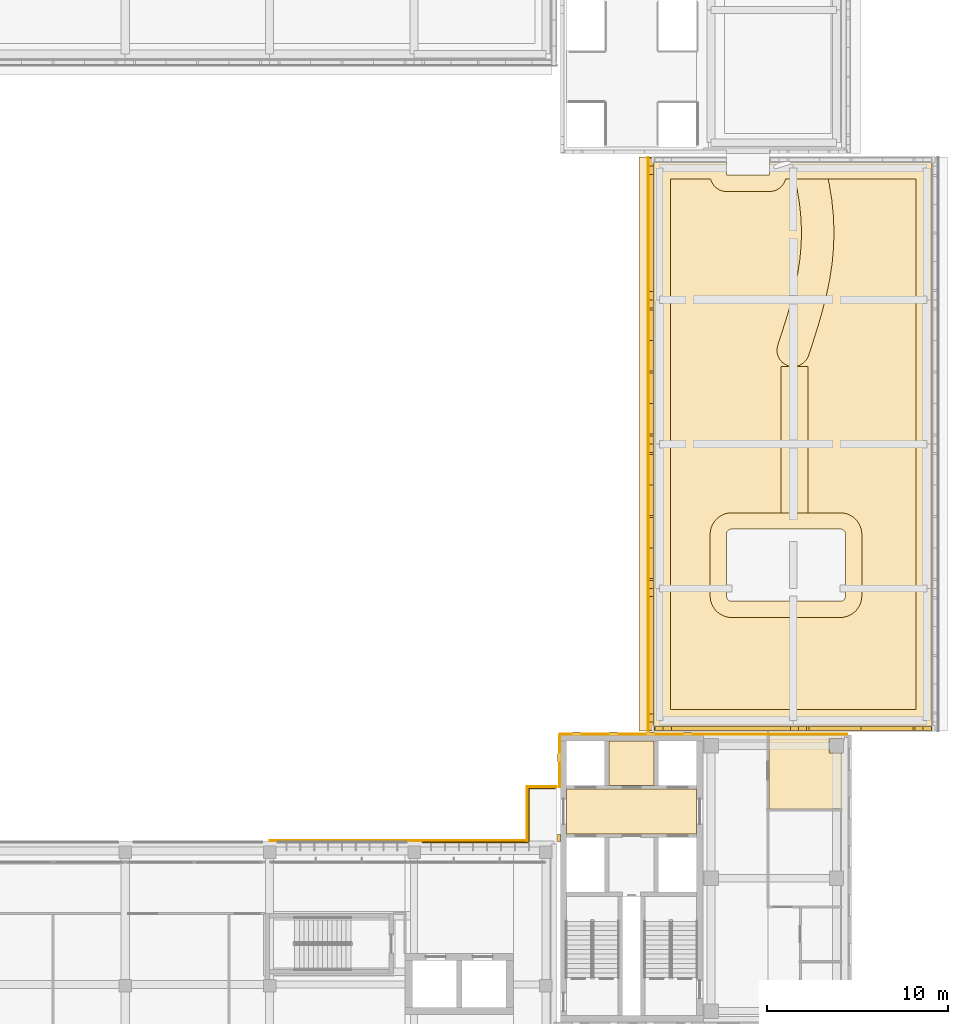
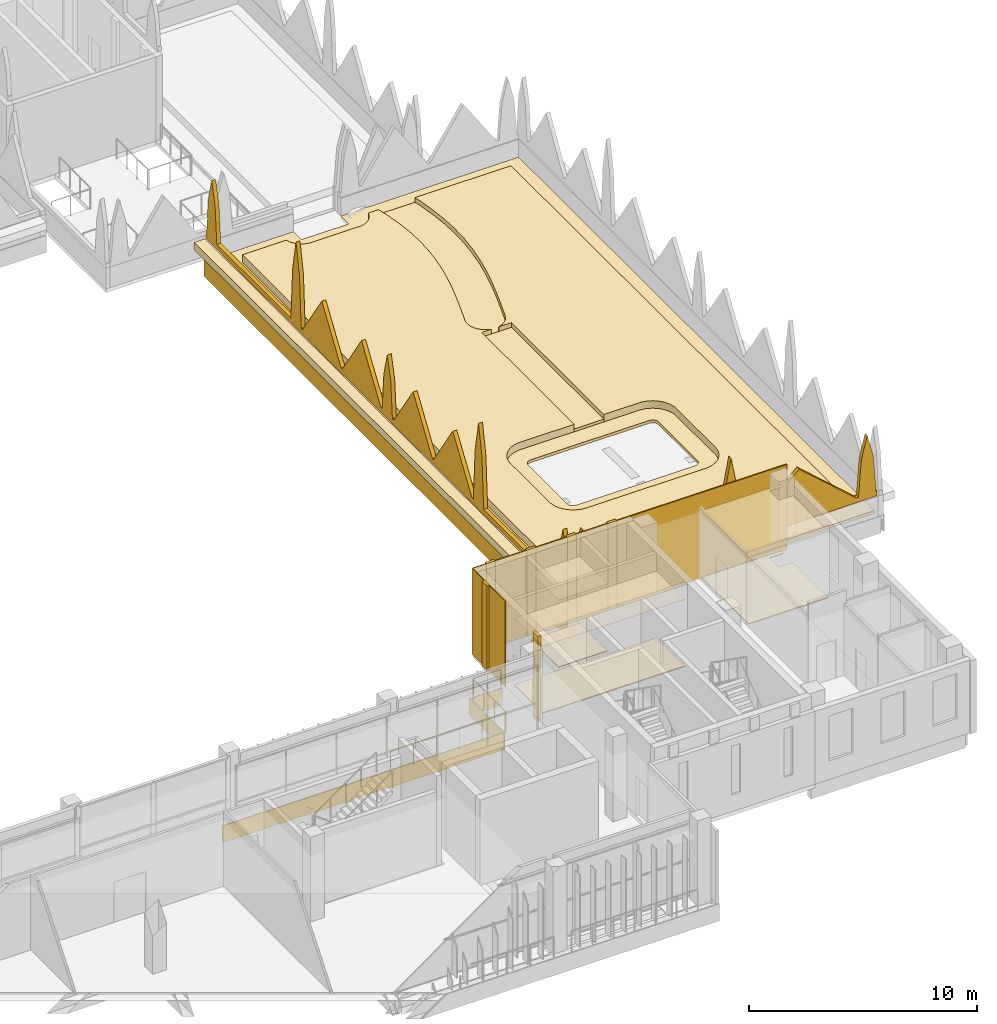
# One storey, part 41 of 46: 25 coverings, 1 railing.
"""IFC4 building model written with IfcOpenShell, lengths in metres."""

from ifc_helpers import new_model, si_unit, direction, frame, frame_2d, origin, origin_2d, place, context, subcontext, project, spatial, polyline, rectangle, circle, outline, extrude, material, layer, layer_set, type_object, element, save


model = new_model("IFC4")

# Units and contexts
model_context = context("Model", 3, precision=1e-05, world=origin(), true_north=direction((0.0, 1.0)))
body_context = subcontext(model_context, "Body", "Model", "MODEL_VIEW")
ifc_project = project(units=[si_unit("LENGTHUNIT", "METRE"), si_unit("AREAUNIT", "SQUARE_METRE"), si_unit("VOLUMEUNIT", "CUBIC_METRE"), si_unit("PLANEANGLEUNIT", "RADIAN"), si_unit("MASSUNIT", "GRAM", prefix="KILO")], contexts=[model_context])

# Site, building, storey
site_placement = place(None, origin())
site = spatial("IfcSite", under=ifc_project, at=site_placement, CompositionType="ELEMENT")
building_placement = place(site_placement, origin())
building = spatial("IfcBuilding", under=site, at=building_placement, Name="Lantern Court Media Centre", CompositionType="ELEMENT")
storey_placement = place(building_placement, frame((0.0, 0.0, 28.800048828125)))
storey = spatial("IfcBuildingStorey", under=building, at=storey_placement, Name="L06", CompositionType="ELEMENT", Elevation=28.800048828125)

# Coverings
ifc_material_1 = material(Name="Carpet")
ifc_layer_1 = layer(ifc_material_1, 0.050048828125)
ifc_layer_set_1 = layer_set([ifc_layer_1], Name="Carpet")
covering_type_1 = type_object("IfcCoveringType", Name="Carpet floor finish", PredefinedType="FLOORING", material=ifc_layer_set_1)
covering_1_placement = place(storey_placement, origin())
element("IfcCovering", 1, at=covering_1_placement, inside=storey, type_object=covering_type_1, Name="Cafe Kitchen floor finish", PredefinedType="FLOORING", context=body_context, shape_type="SweptSolid", body=[
    extrude(outline(polyline([(95.699951171875, 59.798095703125), (91.66748046875, 59.798095703125), (91.66748046875, 63.89990234375), (95.699951171875, 63.89990234375), (95.699951171875, 63.705078125), (94.9951171875, 63.699951171875), (94.99609375, 62.896728515625), (95.699951171875, 62.89501953125), (95.699951171875, 59.798095703125)])), origin(), (0.0, 0.0, 1.0), 0.050048828125),
])
ifc_material_2 = material(Name="Ceramic tile")
ifc_layer_2 = layer(ifc_material_2, 0.050048828125)
ifc_layer_set_2 = layer_set([ifc_layer_2], Name="Ceramic tile")
covering_type_2 = type_object("IfcCoveringType", Name="Ceramic tile floor finish", PredefinedType="FLOORING", material=ifc_layer_set_2)
covering_2_placement = place(storey_placement, origin())
element("IfcCovering", 2, at=covering_2_placement, inside=storey, type_object=covering_type_2, Name="Accessible WC floor finish", PredefinedType="FLOORING", context=body_context, shape_type="SweptSolid", body=[
    extrude(outline(polyline([(85.294921875, 61.10498046875), (82.804931640625, 61.10498046875), (82.804931640625, 63.544921875), (85.294921875, 63.544921875), (85.294921875, 61.10498046875)])), origin(), (0.0, 0.0, 1.0), 0.050048828125),
])

# Railing
ifc_material_3 = material(Name="Powder-coated steel", Category="steel")
railing_type = type_object("IfcRailingType", Name="Floor edge guard 1100", PredefinedType="GUARDRAIL", material=ifc_material_3)
railing_placement = place(storey_placement, frame((72.47705078125, 57.93994140625, 0.0)))
element("IfcRailing", 3, at=railing_placement, inside=storey, type_object=railing_type, Name="L06 edge guard 245", PredefinedType="GUARDRAIL", context=body_context, shape_type="SweptSolid", body=[
    extrude(circle(Radius=0.02392578125, at=origin_2d()), frame((0.0, 0.0, 1.076171875), z_axis=(1.0, 0.0, 0.0), x_axis=(0.0, 1.0, 0.0)), (0.0, 0.0, 1.0), 5.7978515625),
    extrude(circle(Radius=0.02392578125, at=origin_2d()), frame((5.7978515625, 0.0, 1.076171875), z_axis=(0.869047417357, 0.494728800845, 0.0), x_axis=(-0.494728800845, 0.869047417357, 0.0)), (0.0, 0.0, 1.0), 0.09326171875),
    extrude(circle(Radius=0.02392578125, at=origin_2d()), frame((5.87890625, 0.046142578125, 1.076171875), z_axis=(0.041938378731, 0.99912019917, 0.0), x_axis=(-0.99912019917, 0.041938378731, 0.0)), (0.0, 0.0, 1.0), 0.098876953125),
    extrude(circle(Radius=0.02392578125, at=origin_2d()), frame((5.883056640625, 0.14501953125, 1.076171875), z_axis=(0.0, 1.0, 0.0), x_axis=(-1.0, 0.0, 0.0)), (0.0, 0.0, 1.0), 2.799072265625),
    extrude(circle(Radius=0.02392578125, at=origin_2d()), frame((5.883056640625, 2.944091796875, 1.076171875), z_axis=(0.617973163725, 0.786199191628, 0.0), x_axis=(-0.786199191628, 0.617973163725, 0.0)), (0.0, 0.0, 1.0), 0.071044921875),
    extrude(circle(Radius=0.02392578125, at=origin_2d()), frame((5.927001953125, 3.0, 1.076171875), z_axis=(1.0, 0.0, 0.0), x_axis=(0.0, 1.0, 0.0)), (0.0, 0.0, 1.0), 1.39990234375),
    extrude(circle(Radius=0.02099609375, at=origin_2d()), origin(), (0.0, 0.0, 1.0), 1.052001953125),
    extrude(circle(Radius=0.02099609375, at=origin_2d()), frame((1.15966796875, 0.0, 0.0)), (0.0, 0.0, 1.0), 1.052001953125),
    extrude(circle(Radius=0.02099609375, at=origin_2d()), frame((2.319091796875, 0.0, 0.0)), (0.0, 0.0, 1.0), 1.052001953125),
    extrude(circle(Radius=0.02099609375, at=origin_2d()), frame((3.478759765625, 0.0, 0.0)), (0.0, 0.0, 1.0), 1.052001953125),
    extrude(circle(Radius=0.02099609375, at=origin_2d()), frame((4.63818359375, 0.0, 0.0)), (0.0, 0.0, 1.0), 1.052001953125),
    extrude(circle(Radius=0.02099609375, at=origin_2d()), frame((5.7978515625, 0.0, 0.0)), (0.0, 0.0, 1.0), 1.052001953125),
    extrude(circle(Radius=0.02099609375, at=origin_2d()), frame((5.87890625, 0.046142578125, 0.0)), (0.0, 0.0, 1.0), 1.052001953125),
    extrude(circle(Radius=0.02099609375, at=origin_2d()), frame((5.883056640625, 0.14501953125, 0.0)), (0.0, 0.0, 1.0), 1.052001953125),
    extrude(circle(Radius=0.02099609375, at=origin_2d()), frame((5.883056640625, 1.078125, 0.0)), (0.0, 0.0, 1.0), 1.052001953125),
    extrude(circle(Radius=0.02099609375, at=origin_2d()), frame((5.883056640625, 2.010986328125, 0.0)), (0.0, 0.0, 1.0), 1.052001953125),
    extrude(circle(Radius=0.02099609375, at=origin_2d()), frame((5.883056640625, 2.944091796875, 0.0)), (0.0, 0.0, 1.0), 1.052001953125),
    extrude(circle(Radius=0.02099609375, at=origin_2d()), frame((5.927001953125, 3.0, 0.0)), (0.0, 0.0, 1.0), 1.052001953125),
    extrude(circle(Radius=0.02099609375, at=origin_2d()), frame((6.626953125, 3.0, 0.0)), (0.0, 0.0, 1.0), 1.052001953125),
    extrude(circle(Radius=0.02099609375, at=origin_2d()), frame((7.326904296875, 3.0, 0.0)), (0.0, 0.0, 1.0), 1.052001953125),
])

# Coverings
ifc_material_4 = material(Name="White glass-fibre reinforced cement cladding", Category="concrete")
ifc_layer_3 = layer(ifc_material_4, 0.050048828125)
ifc_layer_set_3 = layer_set([ifc_layer_3], Name="White glass-fibre reinforced cement cladding")
covering_type_3 = type_object("IfcCoveringType", Name="Floor-edge band 50", PredefinedType="CLADDING", material=ifc_layer_set_3)
covering_3_placement = place(storey_placement, frame((64.0, 58.02490234375, -0.900146484375), z_axis=(0.0, 0.0, 1.0), x_axis=(1.0, 0.0, 0.0)))
element("IfcCovering", 4, at=covering_3_placement, inside=storey, type_object=covering_type_3, Name="Floor-edge band S inner L06", PredefinedType="CLADDING", context=body_context, shape_type="SweptSolid", body=[
    extrude(rectangle(XDim=14.25, YDim=0.050048828125, at=frame_2d((7.125, 0.0))), origin(), (0.0, 0.0, 1.0), 0.900146484375),
])
covering_4_placement = place(storey_placement, frame((78.300048828125, 61.02490234375, -0.900146484375), z_axis=(0.0, 0.0, 1.0), x_axis=(1.0, 0.0, 0.0)))
element("IfcCovering", 5, at=covering_4_placement, inside=storey, type_object=covering_type_3, Name="Floor-edge band S inner L06", PredefinedType="CLADDING", context=body_context, shape_type="SweptSolid", body=[
    extrude(rectangle(XDim=1.599853515625, YDim=0.050048828125, at=frame_2d((0.7998046875, 0.0))), origin(), (0.0, 0.0, 1.0), 0.900146484375),
])
covering_5_placement = place(storey_placement, frame((78.27490234375, 58.0, -0.900146484375), z_axis=(0.0, 0.0, 1.0), x_axis=(0.0, 1.0, 0.0)))
element("IfcCovering", 6, at=covering_5_placement, inside=storey, type_object=covering_type_3, Name="Floor-edge band S inner L06", PredefinedType="CLADDING", context=body_context, shape_type="SweptSolid", body=[
    extrude(rectangle(XDim=3.050048828125, YDim=0.050048828125, at=frame_2d((1.52490234375, 0.0))), origin(), (0.0, 0.0, 1.0), 0.900146484375),
])
covering_6_placement = place(storey_placement, frame((84.97509765625, 64.10009765625, -0.900146484375), z_axis=(0.0, 0.0, 1.0), x_axis=(0.0, 1.0, 0.0)))
element("IfcCovering", 7, at=covering_6_placement, inside=storey, type_object=covering_type_3, Name="Floor-edge band E inner roof", PredefinedType="CLADDING", context=body_context, shape_type="SweptSolid", body=[
    extrude(rectangle(XDim=31.7998046875, YDim=0.050048828125, at=frame_2d((15.89990234375, 0.0))), origin(), (0.0, 0.0, 1.0), 0.900146484375),
])
ifc_material_5 = material(Name="Honed limestone cladding", Category="masonry")
ifc_layer_4 = layer(ifc_material_5, 0.050048828125)
ifc_layer_set_4 = layer_set([ifc_layer_4], Name="Honed limestone cladding")
covering_type_4 = type_object("IfcCoveringType", Name="Limestone cladding panel 50", PredefinedType="CLADDING", material=ifc_layer_set_4)
covering_7_placement = place(storey_placement, frame((80.074951171875, 61.0, 0.0), z_axis=(0.0, 0.0, 1.0), x_axis=(0.0, 1.0, 0.0)))
element("IfcCovering", 8, at=covering_7_placement, inside=storey, type_object=covering_type_4, Name="Limestone joint cladding S-SE L06", PredefinedType="CLADDING", context=body_context, shape_type="SweptSolid", body=[
    extrude(rectangle(XDim=2.89990234375, YDim=0.050048828125, at=frame_2d((1.449951171875, 0.0))), origin(), (0.0, 0.0, 1.0), 4.579833984375),
])
covering_8_placement = place(storey_placement, frame((80.10009765625, 63.925048828125, 0.0), z_axis=(0.0, 0.0, 1.0), x_axis=(1.0, 0.0, 0.0)))
element("IfcCovering", 9, at=covering_8_placement, inside=storey, type_object=covering_type_4, Name="Limestone joint cladding E-SE L06", PredefinedType="CLADDING", context=body_context, shape_type="SweptSolid", body=[
    extrude(rectangle(XDim=15.89990234375, YDim=0.050048828125, at=frame_2d((7.949951171875, 0.0))), origin(), (0.0, 0.0, 1.0), 4.579833984375),
])
ifc_material_6 = material(Name="Honed limestone cladding on blockwork", Category="masonry")
ifc_layer_5 = layer(ifc_material_6, 0.550048828125)
ifc_layer_set_5 = layer_set([ifc_layer_5], Name="Honed limestone cladding on blockwork")
covering_type_5 = type_object("IfcCoveringType", Name="Limestone cornice 550", PredefinedType="CLADDING", material=ifc_layer_set_5)
covering_9_placement = place(storey_placement, frame((84.72509765625, 64.10009765625, 0.699951171875), z_axis=(0.0, 0.0, 1.0), x_axis=(0.0, 1.0, 0.0)))
element("IfcCovering", 10, at=covering_9_placement, inside=storey, type_object=covering_type_5, Name="Attic cornice", PredefinedType="CLADDING", context=body_context, shape_type="SweptSolid", body=[
    extrude(rectangle(XDim=31.7998046875, YDim=0.550048828125, at=frame_2d((15.89990234375, 0.0))), origin(), (0.0, 0.0, 1.0), 0.39990234375),
])
ifc_layer_6 = layer(ifc_material_6, 0.199951171875)
ifc_layer_set_6 = layer_set([ifc_layer_6], Name="Honed limestone cladding on blockwork")
covering_type_6 = type_object("IfcCoveringType", Name="Limestone cresting 200", PredefinedType="CLADDING", material=ifc_layer_set_6)
covering_10_placement = place(storey_placement, frame((85.14990234375, 64.10009765625, 1.099853515625), z_axis=(0.0, 0.0, 1.0), x_axis=(0.0, 1.0, 0.0)))
element("IfcCovering", 11, at=covering_10_placement, inside=storey, type_object=covering_type_6, Name="Parapet cresting", PredefinedType="CLADDING", context=body_context, shape_type="SweptSolid", body=[
    extrude(outline(polyline([(0.0, 0.0), (31.7998046875, 0.0), (31.800048828125, 0.25), (31.75, 0.25), (31.60009765625, 2.210205078125), (31.300048828125, 3.400146484375), (31.0, 2.210205078125), (30.85009765625, 0.25), (24.35009765625, 0.25), (24.199951171875, 2.983642578125), (23.89990234375, 4.590087890625), (23.60009765625, 2.983642578125), (23.449951171875, 0.25), (23.330078125, 0.25), (21.639892578125, 2.800048828125), (19.949951171875, 0.25), (19.85009765625, 0.25), (18.159912109375, 2.800048828125), (16.469970703125, 0.25), (16.35009765625, 0.25), (16.199951171875, 2.210205078125), (15.89990234375, 3.400146484375), (15.60009765625, 2.210205078125), (15.449951171875, 0.25), (15.330078125, 0.25), (13.639892578125, 2.800048828125), (11.949951171875, 0.25), (11.85009765625, 0.25), (10.159912109375, 2.800048828125), (8.469970703125, 0.25), (8.35009765625, 0.25), (8.199951171875, 2.983642578125), (7.89990234375, 4.590087890625), (7.60009765625, 2.983642578125), (7.449951171875, 0.25), (0.949951171875, 0.25), (0.800048828125, 2.210205078125), (0.5, 3.400146484375), (0.199951171875, 2.210205078125), (0.050048828125, 0.25), (0.0, 0.25), (0.0, 0.0)])), frame((0.0, 0.10009765625, 0.0), z_axis=(0.0, -1.0, 0.0), x_axis=(1.0, 0.0, 0.0)), (0.0, 0.0, 1.0), 0.199951171875),
])
covering_11_placement = place(storey_placement, frame((85.300048828125, 64.25, 1.099853515625), z_axis=(0.0, 0.0, 1.0), x_axis=(1.0, 0.0, 0.0)))
element("IfcCovering", 12, at=covering_11_placement, inside=storey, type_object=covering_type_6, Name="Parapet cresting", PredefinedType="CLADDING", context=body_context, shape_type="SweptSolid", body=[
    extrude(outline(polyline([(0.0, 0.0), (15.39990234375, 0.0), (15.39990234375, 0.25), (15.35009765625, 0.25), (15.199951171875, 2.210205078125), (14.89990234375, 3.400146484375), (14.60009765625, 2.210205078125), (14.449951171875, 0.25), (14.330078125, 0.25), (11.449951171875, 2.800048828125), (8.570068359375, 0.25), (8.449951171875, 0.25), (8.300048828125, 2.983642578125), (8.0, 4.590087890625), (7.699951171875, 2.983642578125), (7.550048828125, 0.25), (0.949951171875, 0.25), (0.800048828125, 2.210205078125), (0.5, 3.400146484375), (0.199951171875, 2.210205078125), (0.050048828125, 0.25), (0.0, 0.25), (0.0, 0.0)])), frame((0.0, 0.10009765625, 0.0), z_axis=(0.0, -1.0, 0.0), x_axis=(1.0, 0.0, 0.0)), (0.0, 0.0, 1.0), 0.199951171875),
])
ifc_layer_7 = layer(ifc_material_5, 0.14990234375)
ifc_layer_set_7 = layer_set([ifc_layer_7], Name="Honed limestone cladding")
covering_type_7 = type_object("IfcCoveringType", Name="Limestone pilaster cladding 150", PredefinedType="CLADDING", material=ifc_layer_set_7)
covering_12_placement = place(storey_placement, frame((80.77490234375, 63.97509765625, 0.0), z_axis=(0.0, 0.0, 1.0), x_axis=(1.0, 0.0, 0.0)))
element("IfcCovering", 13, at=covering_12_placement, inside=storey, type_object=covering_type_7, Name="Limestone pilaster rib", PredefinedType="CLADDING", context=body_context, shape_type="SweptSolid", body=[
    extrude(rectangle(XDim=0.4501953125, YDim=0.14990234375, at=frame_2d((0.22509765625, 0.0))), origin(), (0.0, 0.0, 1.0), 4.579833984375),
])
for number, where, z_axis, x_axis, name in (
    (14, (82.824951171875, 63.97509765625, 0.0), (0.0, 0.0, 1.0), (1.0, 0.0, 0.0), "Limestone pilaster rib"),
    (15, (84.875, 63.97509765625, 0.0), (0.0, 0.0, 1.0), (1.0, 0.0, 0.0), "Limestone pilaster rib"),
    (16, (86.925048828125, 63.97509765625, 0.0), (0.0, 0.0, 1.0), (1.0, 0.0, 0.0), "Limestone pilaster rib"),
):
    element("IfcCovering", number, at=place(storey_placement, frame(where, z_axis=z_axis, x_axis=x_axis)), inside=storey, type_object=covering_type_7, Name=name, PredefinedType="CLADDING", context=body_context, shape_type="SweptSolid", body=[
        extrude(rectangle(XDim=0.449951171875, YDim=0.14990234375, at=frame_2d((0.22509765625, 0.0))), origin(), (0.0, 0.0, 1.0), 4.579833984375),
    ])
covering_13_placement = place(storey_placement, frame((80.02490234375, 57.958251953125, 0.0), z_axis=(0.0, 0.0, 1.0), x_axis=(0.0, 1.0, 0.0)))
element("IfcCovering", 17, at=covering_13_placement, inside=storey, type_object=covering_type_7, Name="Limestone pilaster rib", PredefinedType="CLADDING", context=body_context, shape_type="SweptSolid", body=[
    extrude(rectangle(XDim=0.4501953125, YDim=0.14990234375, at=frame_2d((0.22509765625, 0.0))), origin(), (0.0, 0.0, 1.0), 4.579833984375),
])
covering_14_placement = place(storey_placement, frame((80.02490234375, 62.425048828125, 0.0), z_axis=(0.0, 0.0, 1.0), x_axis=(0.0, 1.0, 0.0)))
element("IfcCovering", 18, at=covering_14_placement, inside=storey, type_object=covering_type_7, Name="Limestone pilaster rib", PredefinedType="CLADDING", context=body_context, shape_type="SweptSolid", body=[
    extrude(rectangle(XDim=0.449951171875, YDim=0.14990234375, at=frame_2d((0.22509765625, 0.0))), origin(), (0.0, 0.0, 1.0), 4.579833984375),
])
ifc_material_7 = material(Name="Planting substrate")
ifc_layer_8 = layer(ifc_material_7, 0.39990234375)
ifc_layer_set_8 = layer_set([ifc_layer_8], Name="Planting substrate")
covering_type_8 = type_object("IfcCoveringType", Name="Planted roof garden build-up 400", PredefinedType="ROOFING", material=ifc_layer_set_8)
covering_15_placement = place(storey_placement, frame((0.0, 0.0, 0.14990234375)))
element("IfcCovering", 19, at=covering_15_placement, inside=storey, type_object=covering_type_8, Name="Planted roof garden E", PredefinedType="ROOFING", context=body_context, shape_type="SweptSolid", body=[
    extrude(outline(polyline([(88.43896484375, 94.638916015625), (88.468994140625, 94.555908203125), (88.506103515625, 94.47607421875), (88.552001953125, 94.39990234375), (88.60400390625, 94.3291015625), (88.6640625, 94.263916015625), (88.72900390625, 94.2041015625), (88.800048828125, 94.152099609375), (88.8759765625, 94.10595703125), (88.9560546875, 94.069091796875), (89.0390625, 94.0390625), (89.1240234375, 94.01708984375), (89.2119140625, 94.00390625), (89.300048828125, 94.0), (91.699951171875, 94.0), (91.7880859375, 94.00390625), (91.8759765625, 94.01708984375), (91.9609375, 94.0390625), (92.0439453125, 94.069091796875), (92.1240234375, 94.10595703125), (92.199951171875, 94.152099609375), (92.27099609375, 94.2041015625), (92.3359375, 94.263916015625), (92.39599609375, 94.3291015625), (92.447998046875, 94.39990234375), (92.493896484375, 94.47607421875), (92.531005859375, 94.555908203125), (92.56103515625, 94.638916015625), (92.576904296875, 94.699951171875), (93.093017578125, 94.699951171875), (93.22802734375, 94.06591796875), (93.35302734375, 93.2939453125), (93.429931640625, 92.527099609375), (93.458984375, 91.763916015625), (93.43896484375, 91.0), (93.368896484375, 90.235107421875), (93.251953125, 89.462890625), (93.092041015625, 88.68505859375), (92.89404296875, 87.89794921875), (92.6640625, 87.10205078125), (92.410888671875, 86.294921875), (92.14404296875, 85.47900390625), (92.10595703125, 85.306884765625), (92.10302734375, 85.131103515625), (92.133056640625, 84.95703125), (92.197998046875, 84.79296875), (92.2919921875, 84.64404296875), (92.4150390625, 84.51611328125), (92.55908203125, 84.4150390625), (92.81591796875, 84.302978515625), (92.319091796875, 84.302978515625), (92.319091796875, 76.199951171875), (89.60009765625, 76.199951171875), (89.555908203125, 76.198974609375), (89.52587890625, 76.197021484375), (89.43896484375, 76.18896484375), (89.408935546875, 76.18408203125), (89.322998046875, 76.1669921875), (89.2939453125, 76.159912109375), (89.2099609375, 76.134033203125), (89.181884765625, 76.125), (89.10009765625, 76.091064453125), (89.073974609375, 76.077880859375), (88.99609375, 76.037109375), (88.970947265625, 76.02099609375), (88.89697265625, 75.971923828125), (88.8740234375, 75.955078125), (88.804931640625, 75.89892578125), (88.782958984375, 75.87890625), (88.720947265625, 75.81689453125), (88.700927734375, 75.794921875), (88.64501953125, 75.72607421875), (88.6279296875, 75.702880859375), (88.5791015625, 75.62890625), (88.56298828125, 75.60400390625), (88.52197265625, 75.52587890625), (88.509033203125, 75.5), (88.47509765625, 75.41796875), (88.466064453125, 75.389892578125), (88.43994140625, 75.305908203125), (88.43310546875, 75.277099609375), (88.416015625, 75.19091796875), (88.410888671875, 75.160888671875), (88.403076171875, 75.073974609375), (88.40087890625, 75.0439453125), (88.39990234375, 75.0), (88.39990234375, 71.60009765625), (88.40087890625, 71.555908203125), (88.403076171875, 71.52587890625), (88.410888671875, 71.43896484375), (88.416015625, 71.408935546875), (88.43310546875, 71.322998046875), (88.43994140625, 71.2939453125), (88.466064453125, 71.2099609375), (88.47509765625, 71.181884765625), (88.509033203125, 71.10009765625), (88.52197265625, 71.073974609375), (88.56298828125, 70.99609375), (88.5791015625, 70.970947265625), (88.6279296875, 70.89697265625), (88.64501953125, 70.8740234375), (88.700927734375, 70.804931640625), (88.720947265625, 70.782958984375), (88.782958984375, 70.720947265625), (88.804931640625, 70.700927734375), (88.8740234375, 70.64501953125), (88.89697265625, 70.6279296875), (88.970947265625, 70.5791015625), (88.99609375, 70.56298828125), (89.073974609375, 70.52197265625), (89.10009765625, 70.509033203125), (89.181884765625, 70.47509765625), (89.2099609375, 70.466064453125), (89.2939453125, 70.43994140625), (89.322998046875, 70.43310546875), (89.408935546875, 70.416015625), (89.43896484375, 70.410888671875), (89.52587890625, 70.403076171875), (89.555908203125, 70.40087890625), (89.60009765625, 70.39990234375), (95.60009765625, 70.39990234375), (95.64404296875, 70.40087890625), (95.674072265625, 70.403076171875), (95.760986328125, 70.410888671875), (95.791015625, 70.416015625), (95.876953125, 70.43310546875), (95.906005859375, 70.43994140625), (95.989990234375, 70.466064453125), (96.01806640625, 70.47509765625), (96.10009765625, 70.509033203125), (96.1259765625, 70.52197265625), (96.2041015625, 70.56298828125), (96.22900390625, 70.5791015625), (96.302978515625, 70.6279296875), (96.325927734375, 70.64501953125), (96.39501953125, 70.700927734375), (96.4169921875, 70.720947265625), (96.47900390625, 70.782958984375), (96.4990234375, 70.804931640625), (96.554931640625, 70.8740234375), (96.572021484375, 70.89697265625), (96.62109375, 70.970947265625), (96.636962890625, 70.99609375), (96.677978515625, 71.073974609375), (96.69091796875, 71.10009765625), (96.72509765625, 71.181884765625), (96.73388671875, 71.2099609375), (96.760009765625, 71.2939453125), (96.76708984375, 71.322998046875), (96.783935546875, 71.408935546875), (96.7890625, 71.43896484375), (96.797119140625, 71.52587890625), (96.799072265625, 71.555908203125), (96.800048828125, 71.60009765625), (96.800048828125, 75.0), (96.799072265625, 75.0439453125), (96.797119140625, 75.073974609375), (96.7890625, 75.160888671875), (96.783935546875, 75.19091796875), (96.76708984375, 75.277099609375), (96.760009765625, 75.305908203125), (96.73388671875, 75.389892578125), (96.72509765625, 75.41796875), (96.69091796875, 75.5), (96.677978515625, 75.52587890625), (96.636962890625, 75.60400390625), (96.62109375, 75.62890625), (96.572021484375, 75.702880859375), (96.554931640625, 75.72607421875), (96.4990234375, 75.794921875), (96.47900390625, 75.81689453125), (96.4169921875, 75.87890625), (96.39501953125, 75.89892578125), (96.325927734375, 75.955078125), (96.302978515625, 75.971923828125), (96.22900390625, 76.02099609375), (96.2041015625, 76.037109375), (96.1259765625, 76.077880859375), (96.10009765625, 76.091064453125), (96.01806640625, 76.125), (95.989990234375, 76.134033203125), (95.906005859375, 76.159912109375), (95.876953125, 76.1669921875), (95.791015625, 76.18408203125), (95.760986328125, 76.18896484375), (95.674072265625, 76.197021484375), (95.64404296875, 76.198974609375), (95.60009765625, 76.199951171875), (93.819091796875, 76.199951171875), (93.819091796875, 84.302978515625), (93.177001953125, 84.302978515625), (93.176025390625, 84.306884765625), (93.406982421875, 84.39794921875), (93.555908203125, 84.491943359375), (93.68408203125, 84.614990234375), (93.784912109375, 84.759033203125), (93.85595703125, 84.9208984375), (94.1240234375, 85.741943359375), (94.126953125, 85.751953125), (94.384033203125, 86.572998046875), (94.389892578125, 86.593017578125), (94.626953125, 87.4140625), (94.635009765625, 87.443115234375), (94.842041015625, 88.263916015625), (94.85107421875, 88.302978515625), (95.02001953125, 89.1240234375), (95.028076171875, 89.1708984375), (95.153076171875, 89.991943359375), (95.158935546875, 90.044921875), (95.23388671875, 90.865966796875), (95.237060546875, 90.923095703125), (95.259033203125, 91.743896484375), (95.259033203125, 91.802978515625), (95.22802734375, 92.6240234375), (95.22412109375, 92.679931640625), (95.14111328125, 93.5009765625), (95.134033203125, 93.553955078125), (95.001953125, 94.375), (94.992919921875, 94.419921875), (94.93310546875, 94.699951171875), (99.800048828125, 94.699951171875), (99.800048828125, 65.300048828125), (86.199951171875, 65.300048828125), (86.199951171875, 94.699951171875), (88.423095703125, 94.699951171875), (88.43896484375, 94.638916015625)])), origin(), (0.0, 0.0, 1.0), 0.400146484375),
])
ifc_material_8 = material(Name="Limestone paving slab", Category="masonry")
ifc_layer_9 = layer(ifc_material_8, 0.14990234375)
ifc_layer_set_9 = layer_set([ifc_layer_9], Name="Limestone paving slab")
covering_type_9 = type_object("IfcCoveringType", Name="Roof walkway pavers 150", PredefinedType="FLOORING", material=ifc_layer_set_9)
covering_16_placement = place(storey_placement, frame((0.0, 0.0, 0.14990234375)))
element("IfcCovering", 20, at=covering_16_placement, inside=storey, type_object=covering_type_9, Name="Roof garden path E", PredefinedType="FLOORING", context=body_context, shape_type="SweptSolid", body=[
    extrude(outline(polyline([(93.819091796875, 76.199951171875), (92.319091796875, 76.199951171875), (92.319091796875, 84.302978515625), (93.069091796875, 84.302978515625), (93.819091796875, 84.302978515625), (93.819091796875, 76.199951171875)])), origin(), (0.0, 0.0, 1.0), 0.150146484375),
])
covering_17_placement = place(storey_placement, frame((0.0, 0.0, 0.14990234375)))
element("IfcCovering", 21, at=covering_17_placement, inside=storey, type_object=covering_type_9, Name="Roof garden path E", PredefinedType="FLOORING", context=body_context, shape_type="SweptSolid", body=[
    extrude(outline(polyline([(92.55908203125, 84.4150390625), (92.4150390625, 84.51611328125), (92.2919921875, 84.64404296875), (92.197998046875, 84.79296875), (92.133056640625, 84.95703125), (92.10302734375, 85.131103515625), (92.10595703125, 85.306884765625), (92.14404296875, 85.47900390625), (92.410888671875, 86.294921875), (92.6640625, 87.10205078125), (92.89404296875, 87.89794921875), (93.092041015625, 88.68505859375), (93.251953125, 89.462890625), (93.368896484375, 90.235107421875), (93.43896484375, 91.0), (93.458984375, 91.763916015625), (93.429931640625, 92.527099609375), (93.35302734375, 93.2939453125), (93.22802734375, 94.06591796875), (93.093017578125, 94.699951171875), (94.93310546875, 94.699951171875), (94.992919921875, 94.419921875), (95.001953125, 94.375), (95.134033203125, 93.553955078125), (95.14111328125, 93.5009765625), (95.22412109375, 92.679931640625), (95.22802734375, 92.6240234375), (95.259033203125, 91.802978515625), (95.259033203125, 91.743896484375), (95.237060546875, 90.923095703125), (95.23388671875, 90.865966796875), (95.158935546875, 90.044921875), (95.153076171875, 89.991943359375), (95.028076171875, 89.1708984375), (95.02001953125, 89.1240234375), (94.85107421875, 88.302978515625), (94.842041015625, 88.263916015625), (94.635009765625, 87.443115234375), (94.626953125, 87.4140625), (94.389892578125, 86.593017578125), (94.384033203125, 86.572998046875), (94.126953125, 85.751953125), (94.1240234375, 85.741943359375), (93.85595703125, 84.9208984375), (93.784912109375, 84.759033203125), (93.68408203125, 84.614990234375), (93.555908203125, 84.491943359375), (93.406982421875, 84.39794921875), (93.242919921875, 84.3330078125), (93.069091796875, 84.302978515625), (92.89306640625, 84.305908203125), (92.720947265625, 84.343994140625), (92.55908203125, 84.4150390625)])), origin(), (0.0, 0.0, 1.0), 0.150146484375),
])
ifc_material_9 = material(Name="Bituminous waterproofing membrane with insulation")
ifc_layer_10 = layer(ifc_material_9, 0.14990234375)
ifc_layer_set_10 = layer_set([ifc_layer_10], Name="Bituminous waterproofing membrane with insulation")
covering_type_10 = type_object("IfcCoveringType", Name="Roof waterproofing and insulation 150", PredefinedType="ROOFING", material=ifc_layer_set_10)
covering_18_placement = place(storey_placement, origin())
element("IfcCovering", 22, at=covering_18_placement, inside=storey, type_object=covering_type_10, Name="Roof waterproofing E", PredefinedType="ROOFING", context=body_context, shape_type="SweptSolid", body=[
    extrude(outline(polyline([(89.300048828125, 95.60009765625), (89.300048828125, 94.89990234375), (91.699951171875, 94.89990234375), (91.699951171875, 95.60009765625), (100.699951171875, 95.60009765625), (100.699951171875, 64.39990234375), (85.300048828125, 64.39990234375), (85.300048828125, 95.60009765625), (89.300048828125, 95.60009765625)]), holes=[polyline([(95.68701171875, 71.31298828125), (95.715087890625, 71.322998046875), (95.740966796875, 71.3349609375), (95.76708984375, 71.35107421875), (95.7900390625, 71.367919921875), (95.81201171875, 71.387939453125), (95.83203125, 71.409912109375), (95.84912109375, 71.43310546875), (95.864990234375, 71.458984375), (95.876953125, 71.485107421875), (95.886962890625, 71.512939453125), (95.89404296875, 71.541015625), (95.89892578125, 71.571044921875), (95.89990234375, 71.60009765625), (95.89990234375, 75.0), (95.89892578125, 75.029052734375), (95.89404296875, 75.05908203125), (95.886962890625, 75.0869140625), (95.876953125, 75.114990234375), (95.864990234375, 75.14111328125), (95.84912109375, 75.1669921875), (95.83203125, 75.18994140625), (95.81201171875, 75.2119140625), (95.7900390625, 75.23193359375), (95.76708984375, 75.2490234375), (95.740966796875, 75.264892578125), (95.715087890625, 75.277099609375), (95.68701171875, 75.287109375), (95.658935546875, 75.2939453125), (95.62890625, 75.299072265625), (95.60009765625, 75.300048828125), (89.60009765625, 75.300048828125), (89.571044921875, 75.299072265625), (89.541015625, 75.2939453125), (89.512939453125, 75.287109375), (89.485107421875, 75.277099609375), (89.458984375, 75.264892578125), (89.43310546875, 75.2490234375), (89.409912109375, 75.23193359375), (89.387939453125, 75.2119140625), (89.367919921875, 75.18994140625), (89.35107421875, 75.1669921875), (89.3349609375, 75.14111328125), (89.322998046875, 75.114990234375), (89.31298828125, 75.0869140625), (89.305908203125, 75.05908203125), (89.301025390625, 75.029052734375), (89.300048828125, 75.0), (89.300048828125, 71.60009765625), (89.301025390625, 71.571044921875), (89.305908203125, 71.541015625), (89.31298828125, 71.512939453125), (89.322998046875, 71.485107421875), (89.3349609375, 71.458984375), (89.35107421875, 71.43310546875), (89.367919921875, 71.409912109375), (89.387939453125, 71.387939453125), (89.409912109375, 71.367919921875), (89.43310546875, 71.35107421875), (89.458984375, 71.3349609375), (89.485107421875, 71.322998046875), (89.512939453125, 71.31298828125), (89.541015625, 71.305908203125), (89.571044921875, 71.301025390625), (89.60009765625, 71.300048828125), (95.60009765625, 71.300048828125), (95.62890625, 71.301025390625), (95.658935546875, 71.305908203125), (95.68701171875, 71.31298828125)])]), origin(), (0.0, 0.0, 1.0), 0.14990234375),
])
ifc_material_10 = material(Name="Mineral fibre ceiling tile")
ifc_layer_11 = layer(ifc_material_10, 0.02001953125)
ifc_layer_set_11 = layer_set([ifc_layer_11], Name="Mineral fibre ceiling tile")
covering_type_11 = type_object("IfcCoveringType", Name="Suspended ceiling tile", PredefinedType="CEILING", material=ifc_layer_set_11)
covering_19_placement = place(storey_placement, frame((0.0, 0.0, 3.599853515625)))
element("IfcCovering", 23, at=covering_19_placement, inside=storey, type_object=covering_type_11, Name="Lift Lobby ceiling", PredefinedType="CEILING", context=body_context, shape_type="SweptSolid", body=[
    extrude(outline(polyline([(80.450439453125, 58.400390625), (80.450439453125, 60.8994140625), (87.6494140625, 60.8994140625), (87.6494140625, 58.400390625), (80.450439453125, 58.400390625)])), origin(), (0.0, 0.0, 1.0), 0.02001953125),
])
covering_20_placement = place(storey_placement, frame((0.0, 0.0, 3.599853515625)))
element("IfcCovering", 24, at=covering_20_placement, inside=storey, type_object=covering_type_11, Name="Accessible WC ceiling", PredefinedType="CEILING", context=body_context, shape_type="SweptSolid", body=[
    extrude(outline(polyline([(85.299560546875, 61.1005859375), (82.800537109375, 61.1005859375), (82.800537109375, 63.549560546875), (85.299560546875, 63.549560546875), (85.299560546875, 61.1005859375)])), origin(), (0.0, 0.0, 1.0), 0.02001953125),
])
covering_21_placement = place(storey_placement, frame((0.0, 0.0, 3.599853515625)))
element("IfcCovering", 25, at=covering_21_placement, inside=storey, type_object=covering_type_11, Name="Cafe Kitchen ceiling", PredefinedType="CEILING", context=body_context, shape_type="SweptSolid", body=[
    extrude(outline(polyline([(95.699951171875, 59.79345703125), (91.6630859375, 59.79345703125), (91.6630859375, 63.89990234375), (95.699951171875, 63.89990234375), (95.699951171875, 63.700439453125), (94.99951171875, 63.699951171875), (94.99951171875, 62.899658203125), (95.699951171875, 62.8994140625), (95.699951171875, 59.79345703125)])), origin(), (0.0, 0.0, 1.0), 0.02001953125),
])
ifc_material_11 = material(Name="Terrazzo")
ifc_layer_12 = layer(ifc_material_11, 0.050048828125)
ifc_layer_set_12 = layer_set([ifc_layer_12], Name="Terrazzo")
covering_type_12 = type_object("IfcCoveringType", Name="Terrazzo floor finish", PredefinedType="FLOORING", material=ifc_layer_set_12)
covering_22_placement = place(storey_placement, origin())
element("IfcCovering", 26, at=covering_22_placement, inside=storey, type_object=covering_type_12, Name="Lift Lobby floor finish", PredefinedType="FLOORING", context=body_context, shape_type="SweptSolid", body=[
    extrude(outline(polyline([(80.455078125, 58.405029296875), (80.455078125, 60.89501953125), (87.64501953125, 60.89501953125), (87.64501953125, 58.405029296875), (80.455078125, 58.405029296875)])), origin(), (0.0, 0.0, 1.0), 0.050048828125),
])

save(model, "model.ifc")
